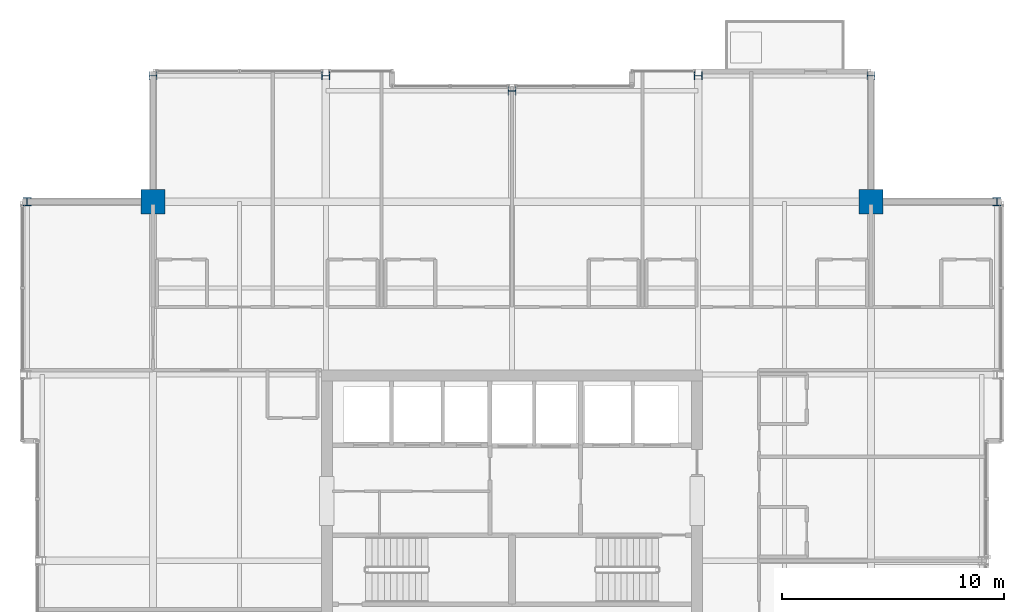
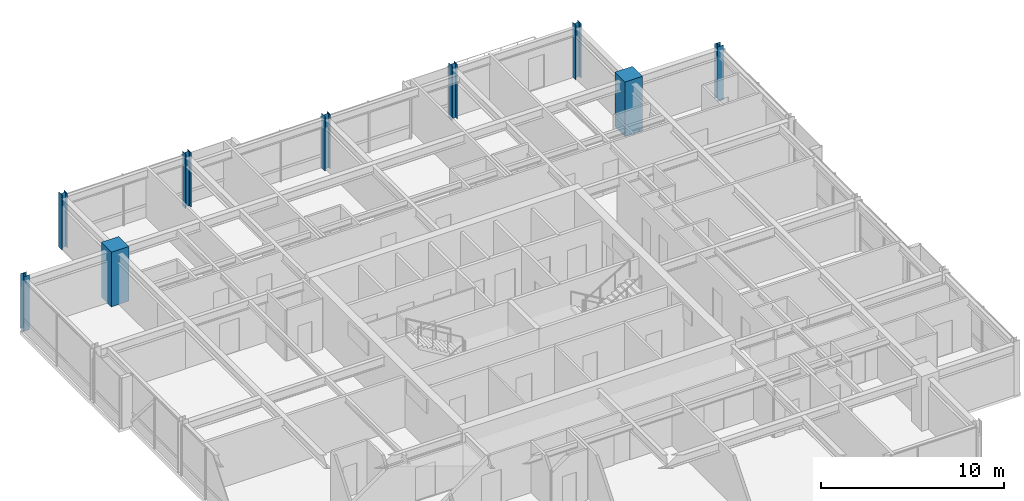
# One storey, part 3 of 34: 9 columns.
"""IFC4 building model written with IfcOpenShell, lengths in metres."""

from ifc_helpers import new_model, si_unit, direction, frame, origin, origin_2d, place, context, subcontext, project, spatial, rectangle, i_section, extrude, material, material_profile, profile_set, type_object, element, save


model = new_model("IFC4")

# Units and contexts
model_context = context("Model", 3, precision=1e-05, world=origin(), true_north=direction((0.0, 1.0)))
body_context = subcontext(model_context, "Body", "Model", "MODEL_VIEW")
ifc_project = project(units=[si_unit("LENGTHUNIT", "METRE"), si_unit("AREAUNIT", "SQUARE_METRE"), si_unit("VOLUMEUNIT", "CUBIC_METRE"), si_unit("PLANEANGLEUNIT", "RADIAN"), si_unit("MASSUNIT", "GRAM", prefix="KILO")], contexts=[model_context])

# Site, building, storey
site_placement = place(None, origin())
site = spatial("IfcSite", under=ifc_project, at=site_placement, CompositionType="ELEMENT")
building_placement = place(site_placement, origin())
building = spatial("IfcBuilding", under=site, at=building_placement, Name="Drelvath Grand Hotel", CompositionType="ELEMENT")
storey_placement = place(building_placement, frame((0.0, 0.0, 272.300048828125)))
storey = spatial("IfcBuildingStorey", under=building, at=storey_placement, Name="L71", CompositionType="ELEMENT", Elevation=272.300048828125)

# Columns
ifc_material_1 = material(Name="Concrete f'c 55 MPa", Category="concrete")
ifc_material_profile_1 = material_profile(ifc_material_1, rectangle(XDim=1.10009765625, YDim=1.10009765625, at=origin_2d()), Name="MC1100X1100")
ifc_profile_set_1 = profile_set([ifc_material_profile_1], Name="Concrete f'c 55 MPa")
column_type_1 = type_object("IfcColumnType", Name="Composite Mega Column MC1100X1100", PredefinedType="COLUMN", material=ifc_profile_set_1)
for number, where, z_axis, x_axis, name in (
    (1, (-16.199951171875, 43.199951171875, 0.0), (0.0, 0.0, 1.0), (1.0, 0.0, 0.0), "L71 Composite Mega Column MC-NW"),
    (2, (16.199951171875, 43.199951171875, 0.0), (0.0, 0.0, 1.0), (1.0, 0.0, 0.0), "L71 Composite Mega Column MC-NE"),
):
    element("IfcColumn", number, at=place(storey_placement, frame(where, z_axis=z_axis, x_axis=x_axis)), inside=storey, type_object=column_type_1, Name=name, PredefinedType="COLUMN", context=body_context, shape_type="SweptSolid", body=[
        extrude(rectangle(XDim=1.10009765625, YDim=1.10009765625, at=origin_2d()), origin(), (0.0, 0.0, 1.0), 3.64990234375),
    ])
ifc_material_2 = material(Name="Steel ASTM A913 Gr 65", Category="steel")
ifc_material_profile_2 = material_profile(ifc_material_2, i_section(OverallWidth=0.368896484375, OverallDepth=0.356201171875, WebThickness=0.01123046875, FlangeThickness=0.01806640625, FilletRadius=0.02490234375, at=origin_2d()), Name="W14X90")
ifc_profile_set_2 = profile_set([ifc_material_profile_2], Name="Steel ASTM A913 Gr 65")
column_type_2 = type_object("IfcColumnType", Name="Perimeter Steel Column W14X90", PredefinedType="COLUMN", material=ifc_profile_set_2)
for number, where, z_axis, x_axis, name in (
    (3, (-21.8798828125, 43.199951171875, 0.0), (0.0, 0.0, 1.0), (1.0, 0.0, 0.0), "L71 Structural Column TCW-G"),
    (4, (21.8798828125, 43.199951171875, 0.0), (0.0, 0.0, 1.0), (1.0, 0.0, 0.0), "L71 Structural Column TCE-G"),
    (5, (-16.199951171875, 48.8798828125, 0.0), (0.0, 0.0, 1.0), (0.0, 1.0, 0.0), "L71 Structural Column TCN-3"),
    (6, (-8.39990234375, 48.8798828125, 0.0), (0.0, 0.0, 1.0), (0.0, 1.0, 0.0), "L71 Structural Column TCN-4"),
    (7, (0.0, 48.199951171875, 0.0), (0.0, 0.0, 1.0), (0.0, 1.0, 0.0), "L71 Structural Column TCN-5"),
    (8, (8.39990234375, 48.8798828125, 0.0), (0.0, 0.0, 1.0), (0.0, 1.0, 0.0), "L71 Structural Column TCN-6"),
    (9, (16.199951171875, 48.8798828125, 0.0), (0.0, 0.0, 1.0), (0.0, 1.0, 0.0), "L71 Structural Column TCN-7"),
):
    element("IfcColumn", number, at=place(storey_placement, frame(where, z_axis=z_axis, x_axis=x_axis)), inside=storey, type_object=column_type_2, Name=name, PredefinedType="COLUMN", context=body_context, shape_type="SweptSolid", body=[
        extrude(i_section(OverallWidth=0.368896484375, OverallDepth=0.356201171875, WebThickness=0.01123046875, FlangeThickness=0.01806640625, FilletRadius=0.02490234375, at=origin_2d()), origin(), (0.0, 0.0, 1.0), 3.64697265625),
    ])

save(model, "model.ifc")
